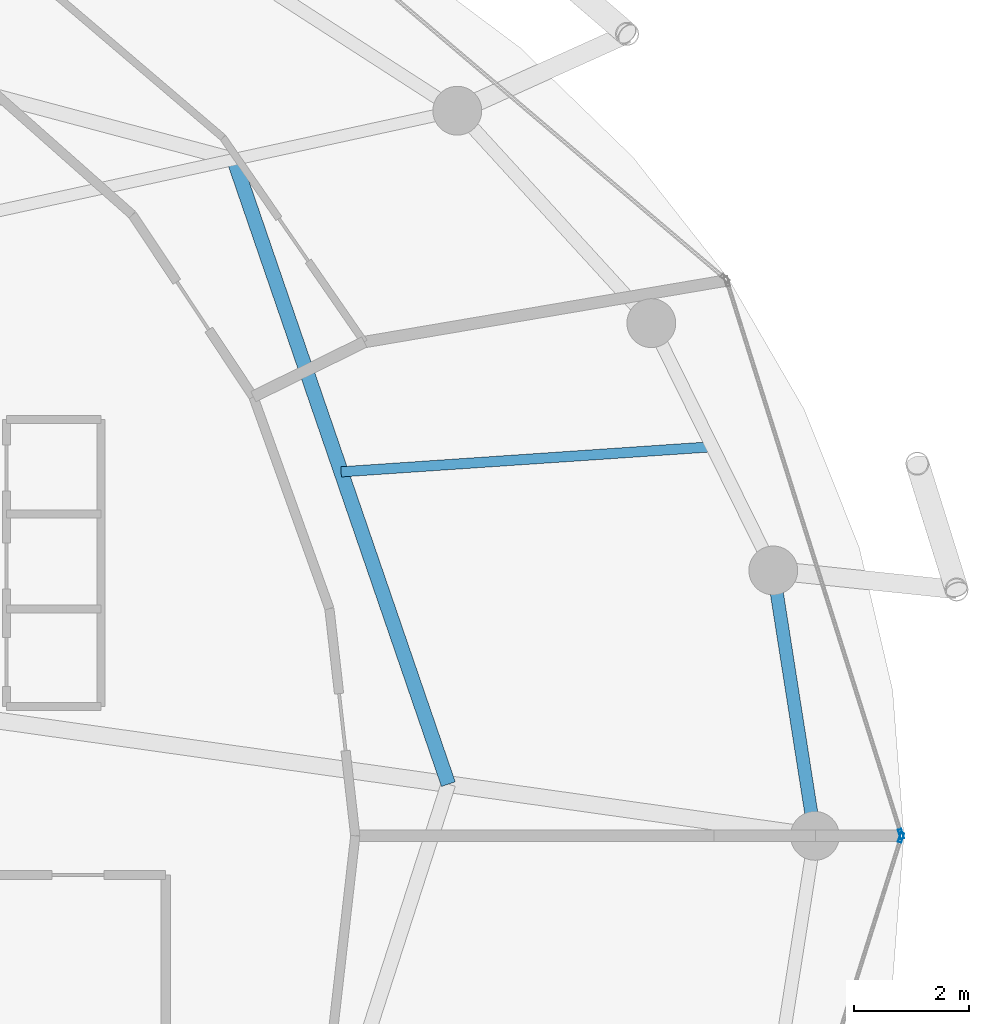
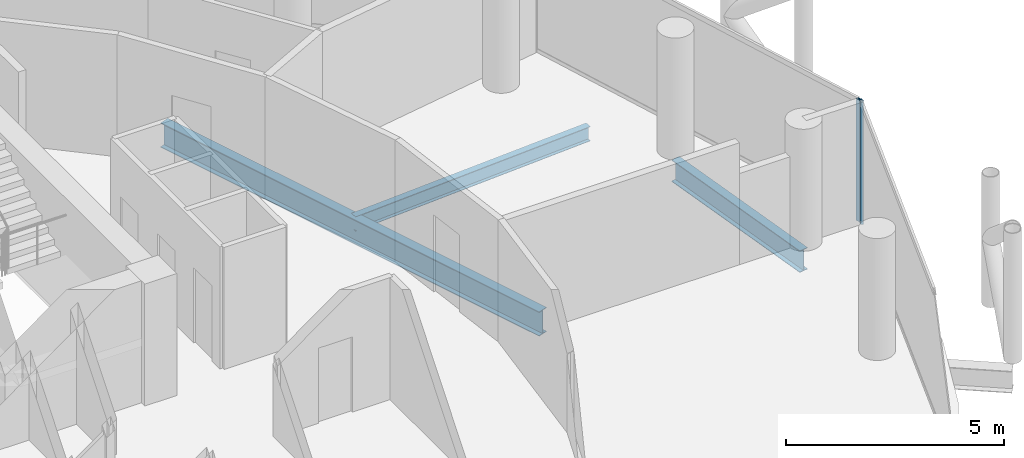
# One storey, part 15 of 27: 3 beams, 2 members, 2 elements without a shape of their own.
"""IFC4 building model written with IfcOpenShell, lengths in metres."""

from ifc_helpers import new_model, si_unit, direction, frame, origin, origin_2d, place, context, subcontext, project, spatial, hollow_rectangle, i_section, extrude, material, layer, layer_set, material_profile, profile_set, type_object, element, aggregate, save


model = new_model("IFC4")

# Units and contexts
model_context = context("Model", 3, precision=1e-05, world=origin(), true_north=direction((0.0, 1.0)))
body_context = subcontext(model_context, "Body", "Model", "MODEL_VIEW")
ifc_project = project(units=[si_unit("LENGTHUNIT", "METRE"), si_unit("AREAUNIT", "SQUARE_METRE"), si_unit("VOLUMEUNIT", "CUBIC_METRE"), si_unit("PLANEANGLEUNIT", "RADIAN"), si_unit("MASSUNIT", "GRAM", prefix="KILO")], contexts=[model_context])

# Site, building, storey
site_placement = place(None, origin())
site = spatial("IfcSite", under=ifc_project, at=site_placement, CompositionType="ELEMENT")
building_placement = place(site_placement, origin())
building = spatial("IfcBuilding", under=site, at=building_placement, Name="Nuhasar Tower", CompositionType="ELEMENT")
storey_placement = place(building_placement, frame((0.0, 0.0, 233.699951171875)))
storey = spatial("IfcBuildingStorey", under=building, at=storey_placement, Name="L57", CompositionType="ELEMENT", Elevation=233.699951171875)

# Beams
ifc_material_1 = material(Name="Steel S355", Category="steel")
ifc_material_profile_1 = material_profile(ifc_material_1, i_section(OverallWidth=0.25390625, OverallDepth=0.68408203125, WebThickness=0.012451171875, FlangeThickness=0.018798828125, at=origin_2d()), Name="W27X94")
ifc_profile_set_1 = profile_set([ifc_material_profile_1], Name="Steel S355")
beam_type_1 = type_object("IfcBeamType", Name="BM-INRING-W27X94", PredefinedType="BEAM", material=ifc_profile_set_1)
beam_1_placement = place(storey_placement, frame((53.8701171875, 27.699951171875, -0.58203125), z_axis=(-0.324809117642, 0.945779592239, 0.0), x_axis=(-0.945779592239, -0.324809117642, 0.0)))
element("IfcBeam", 1, at=beam_1_placement, inside=storey, type_object=beam_type_1, Name="L57 Inner Header Beam 04", PredefinedType="BEAM", context=body_context, shape_type="SweptSolid", body=[
    extrude(i_section(OverallWidth=0.25390625, OverallDepth=0.68408203125, WebThickness=0.012451171875, FlangeThickness=0.018798828125, at=origin_2d()), origin(), (0.0, 0.0, 1.0), 11.496337890625),
])
ifc_material_profile_2 = material_profile(ifc_material_1, i_section(OverallWidth=0.177978515625, OverallDepth=0.406005859375, WebThickness=0.0078125, FlangeThickness=0.0126953125, at=origin_2d()), Name="W16X40")
ifc_profile_set_2 = profile_set([ifc_material_profile_2], Name="Steel S355")
beam_type_2 = type_object("IfcBeamType", Name="BM-JST-W16X40", PredefinedType="JOIST", material=ifc_profile_set_2)
beam_2_placement = place(storey_placement, frame((52.0029296875, 33.135986328125, -0.44287109375), z_axis=(0.997721156568, 0.067472170095, 0.0), x_axis=(-0.067472170095, 0.997721156568, 0.0)))
element("IfcBeam", 2, at=beam_2_placement, inside=storey, type_object=beam_type_2, Name="L57 Secondary Floor Joist 04", PredefinedType="JOIST", context=body_context, shape_type="SweptSolid", body=[
    extrude(i_section(OverallWidth=0.177978515625, OverallDepth=0.406005859375, WebThickness=0.0078125, FlangeThickness=0.0126953125, at=origin_2d()), origin(), (0.0, 0.0, 1.0), 6.476806640625),
])
ifc_material_profile_3 = material_profile(ifc_material_1, i_section(OverallWidth=0.22802734375, OverallDepth=0.60791015625, WebThickness=0.01123046875, FlangeThickness=0.017333984375, at=origin_2d()), Name="W24X76")
ifc_profile_set_3 = profile_set([ifc_material_profile_3], Name="Steel S355")
beam_type_3 = type_object("IfcBeamType", Name="BM-RING-W24X76", PredefinedType="SPANDREL", material=ifc_profile_set_3)
beam_3_placement = place(storey_placement, frame((60.25, 26.800048828125, -0.5439453125), z_axis=(-0.154849872935, 0.987938012657, 0.0), x_axis=(-0.987938012657, -0.154849872935, 0.0)))
element("IfcBeam", 3, at=beam_3_placement, inside=storey, type_object=beam_type_3, Name="L57 Perimeter Ring Spandrel 01", PredefinedType="SPANDREL", context=body_context, shape_type="SweptSolid", body=[
    extrude(i_section(OverallWidth=0.22802734375, OverallDepth=0.60791015625, WebThickness=0.01123046875, FlangeThickness=0.017333984375, at=origin_2d()), origin(), (0.0, 0.0, 1.0), 4.67626953125),
])

# Curtain wall, member
ifc_material_2 = material(Name="Aluminium 6063-T6", Category="aluminium")
ifc_layer = layer(ifc_material_2, 0.18994140625)
ifc_layer_set = layer_set([ifc_layer], Name="Aluminium 6063-T6")
curtain_wall_type = type_object("IfcCurtainWallType", Name="CW-Z3-RES", PredefinedType="NOTDEFINED", material=ifc_layer_set)
curtain_wall_1_placement = place(storey_placement, origin())
curtain_wall_1 = element("IfcCurtainWall", 4, at=curtain_wall_1_placement, inside=storey, type_object=curtain_wall_type, Name="L57 Unitised Curtain Wall 01", PredefinedType="NOTDEFINED")
ifc_material_profile_4 = material_profile(ifc_material_2, hollow_rectangle(XDim=0.06494140625, YDim=0.169921875, WallThickness=0.0048828125, at=origin_2d()), Name="CWM-4")
ifc_profile_set_4 = profile_set([ifc_material_profile_4], Name="Aluminium 6063-T6")
member_type = type_object("IfcMemberType", Name="CW-MUL-S4", PredefinedType="MULLION", material=ifc_profile_set_4)
member_1_placement = place(storey_placement, frame((61.750244140625, 26.8310546875, 0.0), z_axis=(0.0, 0.0, 1.0), x_axis=(-0.95380429279, -0.30042864553, 0.0)))
member_1 = element("IfcMember", 5, at=member_1_placement, type_object=member_type, Name="CW-Z3 mullion 1", PredefinedType="MULLION", context=body_context, shape_type="SweptSolid", body=[
    extrude(hollow_rectangle(XDim=0.06494140625, YDim=0.169921875, WallThickness=0.0048828125, at=origin_2d()), origin(), (0.0, 0.0, 1.0), 3.41015625),
])
aggregate(curtain_wall_1, [member_1])

curtain_wall_2_placement = place(storey_placement, origin())
curtain_wall_2 = element("IfcCurtainWall", 6, at=curtain_wall_2_placement, inside=storey, type_object=curtain_wall_type, Name="L57 Unitised Curtain Wall 12", PredefinedType="NOTDEFINED")
member_2_placement = place(storey_placement, frame((61.750244140625, 26.76904296875, 0.0), z_axis=(0.0, 0.0, 1.0), x_axis=(-0.95380429279, 0.30042864553, 0.0)))
member_2 = element("IfcMember", 7, at=member_2_placement, type_object=member_type, Name="CW-Z3 mullion 2", PredefinedType="MULLION", context=body_context, shape_type="SweptSolid", body=[
    extrude(hollow_rectangle(XDim=0.06494140625, YDim=0.169921875, WallThickness=0.0048828125, at=origin_2d()), origin(), (0.0, 0.0, 1.0), 3.41015625),
])
aggregate(curtain_wall_2, [member_2])

save(model, "model.ifc")
